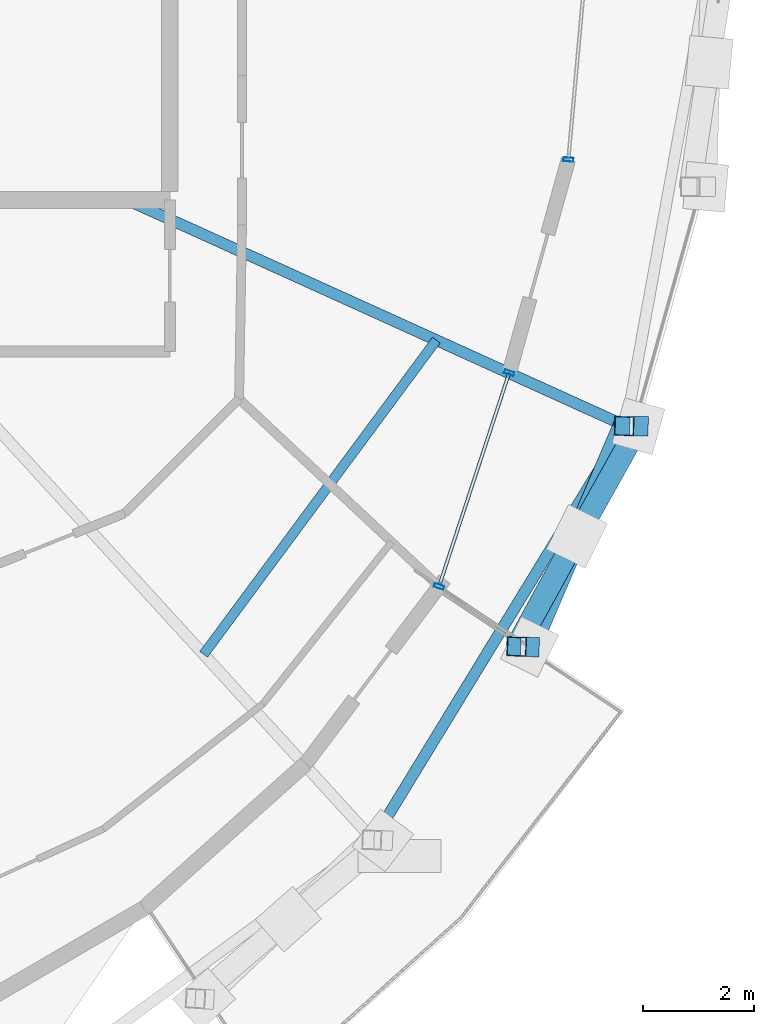
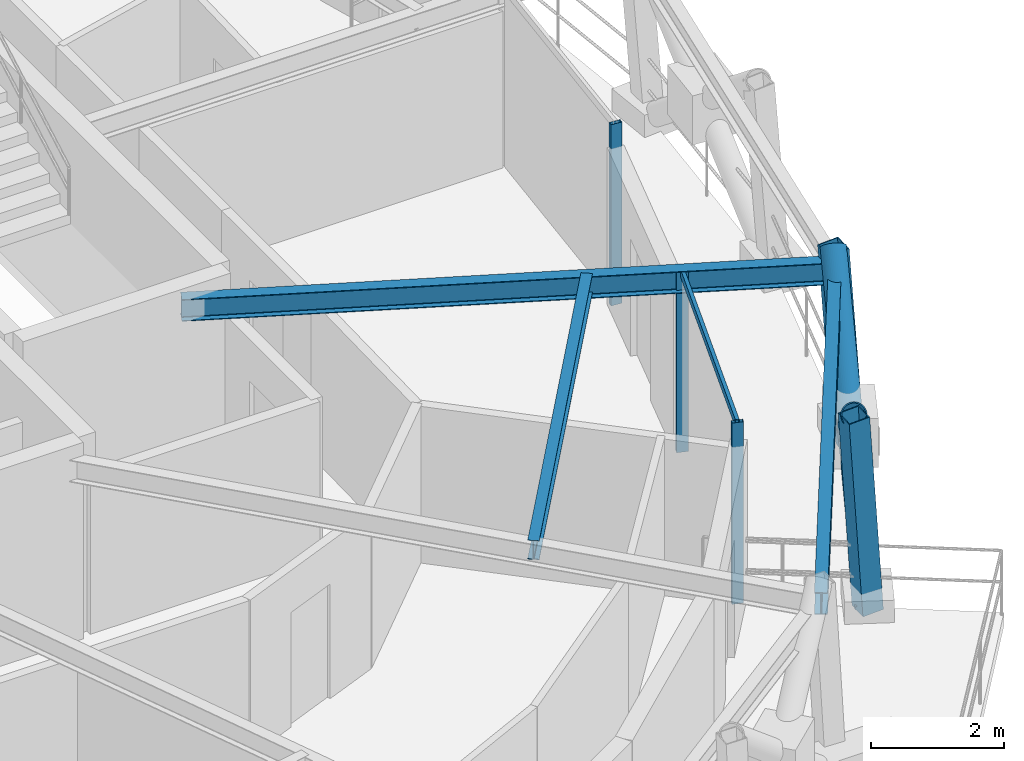
# One storey, part 2 of 12: 9 members, 3 beams, 2 elements without a shape of their own.
"""IFC4 building model written with IfcOpenShell, lengths in metres."""

from ifc_helpers import new_model, si_unit, direction, frame, origin, origin_2d, place, context, subcontext, project, spatial, hollow_rectangle, hollow_circle, i_section, extrude, material, layer, layer_set, material_profile, profile_set, type_object, element, aggregate, save


model = new_model("IFC4")

# Units and contexts
model_context = context("Model", 3, precision=1e-05, world=origin(), true_north=direction((0.0, 1.0)))
body_context = subcontext(model_context, "Body", "Model", "MODEL_VIEW")
ifc_project = project(units=[si_unit("LENGTHUNIT", "METRE"), si_unit("AREAUNIT", "SQUARE_METRE"), si_unit("VOLUMEUNIT", "CUBIC_METRE"), si_unit("PLANEANGLEUNIT", "RADIAN"), si_unit("MASSUNIT", "GRAM", prefix="KILO")], contexts=[model_context])

# Site, building, storey
site_placement = place(None, origin())
site = spatial("IfcSite", under=ifc_project, at=site_placement, CompositionType="ELEMENT")
building_placement = place(site_placement, origin())
building = spatial("IfcBuilding", under=site, at=building_placement, Name="Veldorina Hangang Commons", CompositionType="ELEMENT")
storey_placement = place(building_placement, frame((0.0, 0.0, 272.39990234375)))
storey = spatial("IfcBuildingStorey", under=building, at=storey_placement, Name="L71", CompositionType="ELEMENT", Elevation=272.39990234375)

# Beams
ifc_material_1 = material(Name="Steel SM355-TMC", Category="steel")
ifc_material_profile_1 = material_profile(ifc_material_1, i_section(OverallWidth=0.199951171875, OverallDepth=0.39990234375, WebThickness=0.008056640625, FlangeThickness=0.012939453125, FilletRadius=0.012939453125, at=origin_2d()), Name="H-400x200x8x13")
ifc_profile_set_1 = profile_set([ifc_material_profile_1], Name="Steel SM355-TMC")
beam_type_1 = type_object("IfcBeamType", Name="BM-FG400", PredefinedType="BEAM", material=ifc_profile_set_1)
beam_1_placement = place(storey_placement, frame((42.410400390625, 19.280029296875, 3.16015625), z_axis=(0.910761168096, -0.412933523328, 0.0), x_axis=(0.412933523328, 0.910761168096, 0.0)))
element("IfcBeam", 1, at=beam_1_placement, inside=storey, type_object=beam_type_1, Name="L71 radial floor girder 16", PredefinedType="BEAM", context=body_context, shape_type="SweptSolid", body=[
    extrude(i_section(OverallWidth=0.199951171875, OverallDepth=0.39990234375, WebThickness=0.008056640625, FlangeThickness=0.012939453125, FilletRadius=0.012939453125, at=origin_2d()), origin(), (0.0, 0.0, 1.0), 9.861083984375),
])
ifc_material_profile_2 = material_profile(ifc_material_1, i_section(OverallWidth=0.175048828125, OverallDepth=0.35009765625, WebThickness=0.007080078125, FlangeThickness=0.010986328125, FilletRadius=0.012939453125, at=origin_2d()), Name="H-350x175x7x11")
ifc_profile_set_2 = profile_set([ifc_material_profile_2], Name="Steel SM355-TMC")
beam_type_2 = type_object("IfcBeamType", Name="BM-JST350", PredefinedType="JOIST", material=ifc_profile_set_2)
beam_2_placement = place(storey_placement, frame((43.788330078125, 11.096923828125, 3.18505859375), z_axis=(0.595134674694, 0.80362598202, 0.0), x_axis=(-0.80362598202, 0.595134674694, 0.0)))
element("IfcBeam", 2, at=beam_2_placement, inside=storey, type_object=beam_type_2, Name="L71 secondary floor joist 15", PredefinedType="JOIST", context=body_context, shape_type="SweptSolid", body=[
    extrude(i_section(OverallWidth=0.175048828125, OverallDepth=0.35009765625, WebThickness=0.007080078125, FlangeThickness=0.010986328125, FilletRadius=0.012939453125, at=origin_2d()), origin(), (0.0, 0.0, 1.0), 7.041259765625),
])
ifc_material_profile_3 = material_profile(ifc_material_1, i_section(OverallWidth=0.199951171875, OverallDepth=0.39990234375, WebThickness=0.008056640625, FlangeThickness=0.012939453125, FilletRadius=0.012939453125, at=origin_2d()), Name="H-400x200x8x13")
ifc_profile_set_3 = profile_set([ifc_material_profile_3], Name="Steel SM355-TMC")
beam_type_3 = type_object("IfcBeamType", Name="BM-RB400", PredefinedType="BEAM", material=ifc_profile_set_3)
beam_3_placement = place(storey_placement, frame((46.841796875, 7.7548828125, 3.16015625), z_axis=(0.521042817658, 0.85353053968, 0.0), x_axis=(-0.85353053968, 0.521042817658, 0.0)))
element("IfcBeam", 3, at=beam_3_placement, inside=storey, type_object=beam_type_3, Name="L71 perimeter hoop ring beam 28", PredefinedType="BEAM", context=body_context, shape_type="SweptSolid", body=[
    extrude(i_section(OverallWidth=0.199951171875, OverallDepth=0.39990234375, WebThickness=0.008056640625, FlangeThickness=0.012939453125, FilletRadius=0.012939453125, at=origin_2d()), origin(), (0.0, 0.0, 1.0), 8.732177734375),
])

# Curtain wall, members
ifc_material_2 = material(Name="Glass Low-E Selective", Category="glass")
ifc_layer = layer(ifc_material_2, 0.179931640625)
ifc_layer_set = layer_set([ifc_layer], Name="Glass Low-E Selective")
curtain_wall_type = type_object("IfcCurtainWallType", Name="CW-SYS-Z3", PredefinedType="NOTDEFINED", material=ifc_layer_set)
curtain_wall_1_placement = place(storey_placement, origin())
curtain_wall_1 = element("IfcCurtainWall", 4, at=curtain_wall_1_placement, inside=storey, type_object=curtain_wall_type, Name="L71 unitised curtain wall CW-L71-R1", PredefinedType="NOTDEFINED")
ifc_material_3 = material(Name="Aluminium Anodized AA6063-T6", Category="aluminium")
ifc_material_profile_4 = material_profile(ifc_material_3, hollow_rectangle(XDim=0.070068359375, YDim=0.179931640625, WallThickness=0.00390625, at=origin_2d()), Name="ALU-RHS-180x70x4")
ifc_profile_set_4 = profile_set([ifc_material_profile_4], Name="Aluminium Anodized AA6063-T6")
member_type_1 = type_object("IfcMemberType", Name="CW-MUL-180", PredefinedType="MULLION", material=ifc_profile_set_4)
member_1_placement = place(storey_placement, frame((48.027587890625, 12.319091796875, 0.0), z_axis=(0.0, 0.0, 1.0), x_axis=(0.311953550135, 0.950097354253, 0.0)))
member_1 = element("IfcMember", 5, at=member_1_placement, type_object=member_type_1, Name="CW-L71-R1 vertical mullion 1", PredefinedType="MULLION", context=body_context, shape_type="SweptSolid", body=[
    extrude(hollow_rectangle(XDim=0.070068359375, YDim=0.179931640625, WallThickness=0.00390625, at=origin_2d()), origin(), (0.0, 0.0, 1.0), 3.320068359375),
])
member_2_placement = place(storey_placement, frame((49.29150390625, 16.16845703125, 0.0), z_axis=(0.0, 0.0, 1.0), x_axis=(-0.311953550135, -0.950097354253, 0.0)))
member_2 = element("IfcMember", 6, at=member_2_placement, type_object=member_type_1, Name="CW-L71-R1 vertical mullion 2", PredefinedType="MULLION", context=body_context, shape_type="SweptSolid", body=[
    extrude(hollow_rectangle(XDim=0.070068359375, YDim=0.179931640625, WallThickness=0.00390625, at=origin_2d()), origin(), (0.0, 0.0, 1.0), 3.320068359375),
])

# Curtain wall, member
curtain_wall_2_placement = place(storey_placement, origin())
curtain_wall_2 = element("IfcCurtainWall", 7, at=curtain_wall_2_placement, inside=storey, type_object=curtain_wall_type, Name="L71 unitised curtain wall CW-L71-R2", PredefinedType="NOTDEFINED")
member_3_placement = place(storey_placement, frame((50.356689453125, 20.007568359375, 0.0), z_axis=(0.0, 0.0, 1.0), x_axis=(0.089711324082, 0.995967809887, 0.0)))
member_3 = element("IfcMember", 8, at=member_3_placement, type_object=member_type_1, Name="CW-L71-R2 vertical mullion 1", PredefinedType="MULLION", context=body_context, shape_type="SweptSolid", body=[
    extrude(hollow_rectangle(XDim=0.070068359375, YDim=0.179931640625, WallThickness=0.00390625, at=origin_2d()), origin(), (0.0, 0.0, 1.0), 3.320068359375),
])
aggregate(curtain_wall_2, [member_3])

# Member
ifc_material_profile_5 = material_profile(ifc_material_3, hollow_rectangle(XDim=0.06005859375, YDim=0.139892578125, WallThickness=0.00341796875, at=origin_2d()), Name="ALU-RHS-140x60x3.5")
ifc_profile_set_5 = profile_set([ifc_material_profile_5], Name="Aluminium Anodized AA6063-T6")
member_type_2 = type_object("IfcMemberType", Name="CW-TRN-140", PredefinedType="USERDEFINED", material=ifc_profile_set_5)
member_4_placement = place(storey_placement, frame((48.027587890625, 12.319091796875, 3.280029296875), z_axis=(0.31195826639, 0.950095805712, 0.0), x_axis=(-0.950095805712, 0.31195826639, 0.0)))
member_4 = element("IfcMember", 9, at=member_4_placement, type_object=member_type_2, Name="CW-L71-R1 facet 1 transom 1", ObjectType="TRANSOM", PredefinedType="USERDEFINED", context=body_context, shape_type="SweptSolid", body=[
    extrude(hollow_rectangle(XDim=0.06005859375, YDim=0.139892578125, WallThickness=0.00341796875, at=origin_2d()), origin(), (0.0, 0.0, 1.0), 4.051513671875),
])

aggregate(curtain_wall_1, [member_1, member_2, member_4])

# Members
ifc_material_profile_6 = material_profile(ifc_material_1, hollow_circle(Radius=0.199951171875, WallThickness=0.02001953125, at=origin_2d()), Name="CHS-400x20")
ifc_profile_set_6 = profile_set([ifc_material_profile_6], Name="Steel SM355-TMC")
member_type_3 = type_object("IfcMemberType", Name="DG-CHS400", PredefinedType="BRACE", material=ifc_profile_set_6)
member_5_placement = place(storey_placement, frame((49.6572265625, 11.230224609375, 0.0), z_axis=(0.302463371155, 0.70675983601, 0.639536115722), x_axis=(-0.919349169948, 0.393442630782, 0.0)))
element("IfcMember", 10, at=member_5_placement, inside=storey, type_object=member_type_3, Name="L71 continuous perimeter diagrid brace 29", PredefinedType="BRACE", context=body_context, shape_type="SweptSolid", body=[
    extrude(hollow_circle(Radius=0.199951171875, WallThickness=0.02001953125, at=origin_2d()), origin(), (0.0, 0.0, 1.0), 5.629150390625),
])
member_6_placement = place(storey_placement, frame((51.619873046875, 15.2041015625, 0.0), z_axis=(-0.382811985977, -0.683370329926, 0.621659050902), x_axis=(0.872438192552, -0.488724462429, 0.0)))
element("IfcMember", 11, at=member_6_placement, inside=storey, type_object=member_type_3, Name="L71 split perimeter diagrid lower brace 30", PredefinedType="BRACE", context=body_context, shape_type="SweptSolid", body=[
    extrude(hollow_circle(Radius=0.199951171875, WallThickness=0.02001953125, at=origin_2d()), origin(), (0.0, 0.0, 1.0), 2.89990234375),
])
member_7_placement = place(storey_placement, frame((50.509765625, 13.222412109375, 1.802734375), z_axis=(-0.375917851567, -0.686958195269, 0.621911735559), x_axis=(0.877243385199, -0.480045876062, 0.0)))
element("IfcMember", 12, at=member_7_placement, inside=storey, type_object=member_type_3, Name="L71 split perimeter diagrid upper brace 30", PredefinedType="BRACE", context=body_context, shape_type="SweptSolid", body=[
    extrude(hollow_circle(Radius=0.199951171875, WallThickness=0.02001953125, at=origin_2d()), origin(), (0.0, 0.0, 1.0), 2.89013671875),
])
ifc_material_profile_7 = material_profile(ifc_material_1, hollow_rectangle(XDim=0.35009765625, YDim=0.35009765625, WallThickness=0.01611328125, at=origin_2d()), Name="SHS-350x350x16")
ifc_profile_set_7 = profile_set([ifc_material_profile_7], Name="Steel SM355-TMC")
member_type_4 = type_object("IfcMemberType", Name="STR-SHS350", PredefinedType="STRUT", material=ifc_profile_set_7)
member_8_placement = place(storey_placement, frame((49.6572265625, 11.230224609375, 0.0), z_axis=(-0.064829984729, 0.001894822101, 0.997894524852), x_axis=(-0.029215081582, -0.999573148403, 0.0)))
element("IfcMember", 13, at=member_8_placement, inside=storey, type_object=member_type_4, Name="L71 perimeter ring node post 29", PredefinedType="STRUT", context=body_context, shape_type="SweptSolid", body=[
    extrude(hollow_rectangle(XDim=0.35009765625, YDim=0.35009765625, WallThickness=0.01611328125, at=origin_2d()), origin(), (0.0, 0.0, 1.0), 3.607666015625),
])
member_9_placement = place(storey_placement, frame((51.619873046875, 15.2041015625, 0.0), z_axis=(-0.072035286713, 0.00128513657, 0.997401256211), x_axis=(-0.017837537156, -0.999840898477, 0.0)))
element("IfcMember", 14, at=member_9_placement, inside=storey, type_object=member_type_4, Name="L71 perimeter ring node post 30", PredefinedType="STRUT", context=body_context, shape_type="SweptSolid", body=[
    extrude(hollow_rectangle(XDim=0.35009765625, YDim=0.35009765625, WallThickness=0.01611328125, at=origin_2d()), origin(), (0.0, 0.0, 1.0), 3.609375),
])

save(model, "model.ifc")
